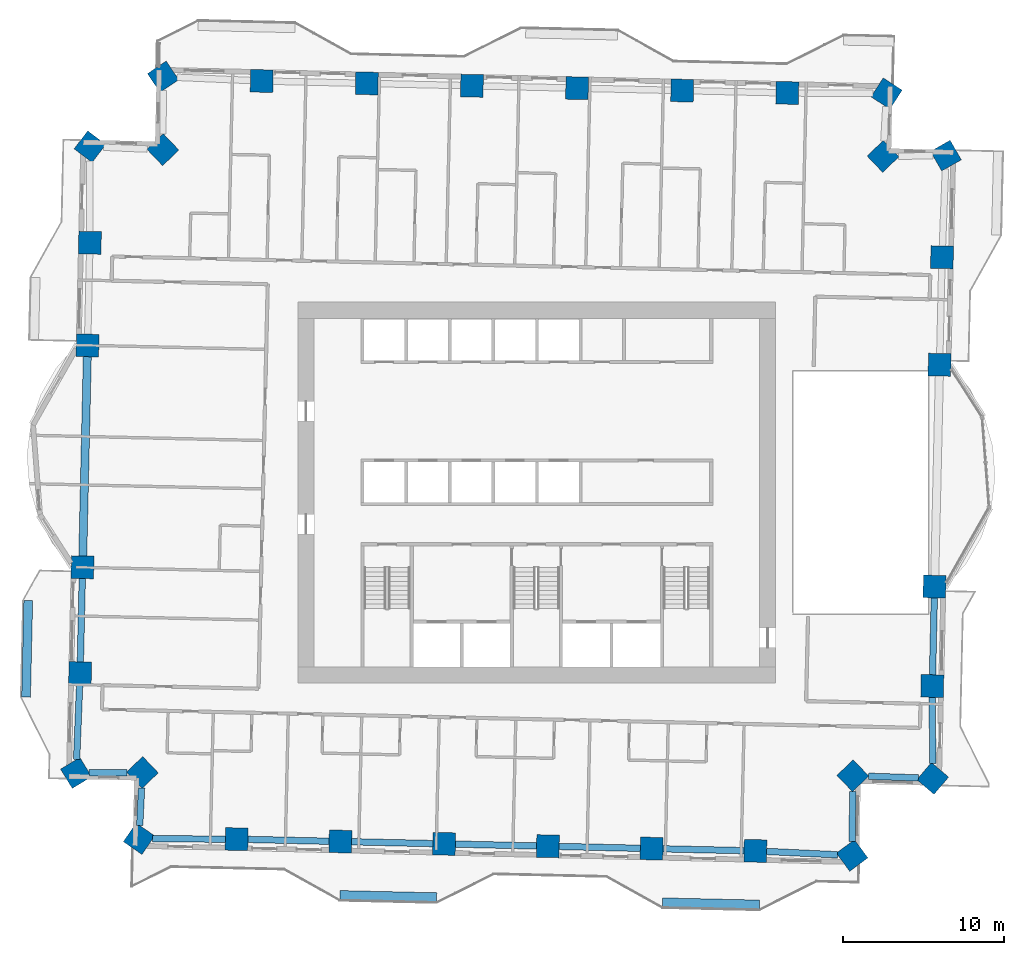
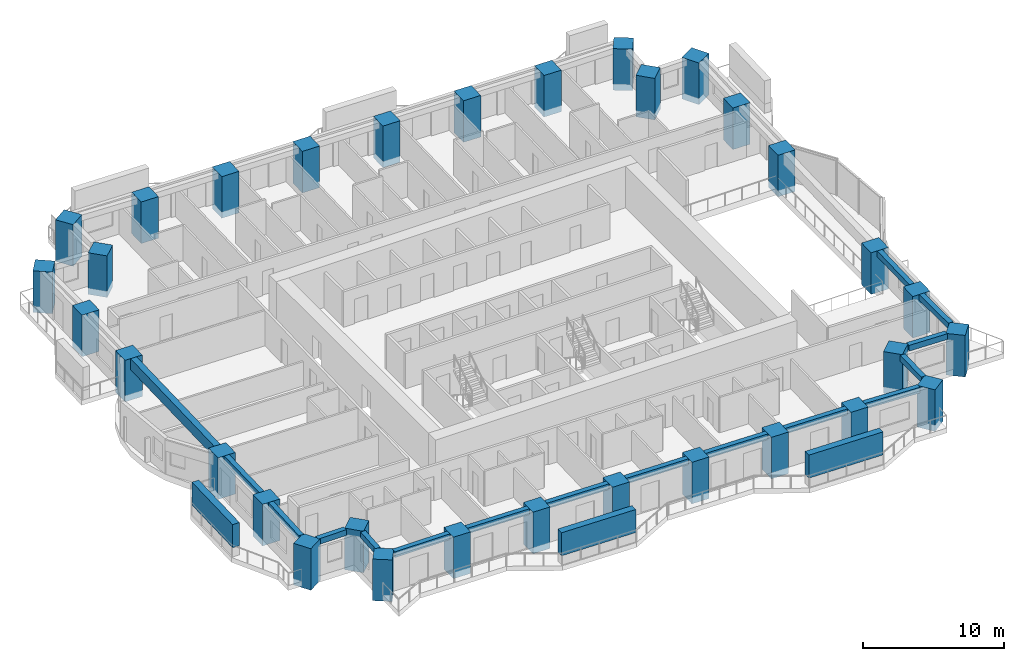
# One storey, part 1 of 16: 32 columns, 16 beams, 3 members.
"""IFC4 building model written with IfcOpenShell, lengths in metres."""

from ifc_helpers import new_model, si_unit, direction, frame, origin, origin_2d, place, context, subcontext, project, spatial, rectangle, extrude, material, material_profile, profile_set, type_object, element, save


model = new_model("IFC4")

# Units and contexts
model_context = context("Model", 3, precision=1e-05, world=origin(), true_north=direction((0.0, 1.0)))
body_context = subcontext(model_context, "Body", "Model", "MODEL_VIEW")
ifc_project = project(units=[si_unit("LENGTHUNIT", "METRE"), si_unit("AREAUNIT", "SQUARE_METRE"), si_unit("VOLUMEUNIT", "CUBIC_METRE"), si_unit("PLANEANGLEUNIT", "RADIAN"), si_unit("MASSUNIT", "GRAM", prefix="KILO")], contexts=[model_context])

# Site, building, storey
site_placement = place(None, origin())
site = spatial("IfcSite", under=ifc_project, at=site_placement, CompositionType="ELEMENT")
building_placement = place(site_placement, origin())
building = spatial("IfcBuilding", under=site, at=building_placement, Name="Mangrove Gate Tower", CompositionType="ELEMENT")
storey_placement = place(building_placement, frame((0.0, 0.0, 101.89990234375)))
storey = spatial("IfcBuildingStorey", under=building, at=storey_placement, Name="L25", CompositionType="ELEMENT", Elevation=101.89990234375)

# Columns
ifc_material_1 = material(Name="Concrete C70/85", Category="concrete")
ifc_material_profile_1 = material_profile(ifc_material_1, rectangle(XDim=1.39990234375, YDim=1.39990234375, at=origin_2d()))
ifc_profile_set_1 = profile_set([ifc_material_profile_1], Name="Concrete C70/85")
column_type = type_object("IfcColumnType", Name="Column RC 1400x1400 C70/85", PredefinedType="COLUMN", material=ifc_profile_set_1)
for number, where, z_axis, x_axis, name in (
    (1, (-28.153076171875, -4.625, -0.5498046875), (0.0, 0.0, 1.0), (-0.022695691547, -0.999742419619, 0.0), "Column L25 W05"),
    (2, (-28.30224609375, -11.184814453125, -0.5498046875), (0.0, 0.0, 1.0), (-0.022705829297, -0.999742189425, 0.0), "Column L25 W06"),
    (3, (-28.552978515625, -17.3662109375, -0.5498046875), (0.0, 0.0, 1.0), (0.51980850099, -0.85428281166, 0.0), "Column L25 W07"),
    (4, (-24.446044921875, -17.34130859375, -0.5498046875), (0.0, 0.0, 1.0), (0.69093208713, -0.722919671176, 0.0), "Column L25 W08"),
    (5, (-24.65087890625, -21.44677734375, -0.5498046875), (0.0, 0.0, 1.0), (0.824584810142, -0.565738359034, 0.0), "Column L25 S01"),
    (6, (-18.60302734375, -21.47021484375, -0.5498046875), (0.0, 0.0, 1.0), (0.999742156532, -0.022707277547, 0.0), "Column L25 S02"),
    (7, (-12.175048828125, -21.6162109375, -0.5498046875), (0.0, 0.0, 1.0), (0.999742156532, -0.022707277547, 0.0), "Column L25 S03"),
    (8, (-5.7470703125, -21.76220703125, -0.5498046875), (0.0, 0.0, 1.0), (0.999742156532, -0.022707277547, 0.0), "Column L25 S04"),
    (9, (0.680908203125, -21.908203125, -0.5498046875), (0.0, 0.0, 1.0), (0.999742156532, -0.022707277547, 0.0), "Column L25 S05"),
    (10, (7.10888671875, -22.05419921875, -0.5498046875), (0.0, 0.0, 1.0), (0.999743919101, -0.022629543109, 0.0), "Column L25 S06"),
    (11, (13.536865234375, -22.19921875, -0.5498046875), (0.0, 0.0, 1.0), (0.999743919101, -0.022629543109, 0.0), "Column L25 S07"),
    (12, (19.531982421875, -22.482666015625, -0.5498046875), (0.0, 0.0, 1.0), (0.803200357552, 0.595708977294, 0.0), "Column L25 S08"),
    (13, (19.579345703125, -17.541015625, -0.5498046875), (0.0, 0.0, 1.0), (0.722976563275, 0.690872556232, 0.0), "Column L25 E01"),
    (14, (24.527587890625, -17.706787109375, -0.5498046875), (0.0, 0.0, 1.0), (0.64744355459, 0.76211340601, 0.0), "Column L25 E02"),
    (15, (24.501220703125, -11.983154296875, -0.5498046875), (0.0, 0.0, 1.0), (0.022717711923, 0.99974191948, 0.0), "Column L25 E03"),
    (16, (24.64111328125, -5.822021484375, -0.5498046875), (0.0, 0.0, 1.0), (0.022698588047, 0.99974235386, 0.0), "Column L25 E04"),
    (17, (24.953125, 7.9248046875, -0.5498046875), (0.0, 0.0, 1.0), (0.022682447908, 0.999742720182, 0.0), "Column L25 E05"),
    (18, (25.104248046875, 14.5849609375, -0.5498046875), (0.0, 0.0, 1.0), (0.022665138693, 0.999743112748, 0.0), "Column L25 E06"),
    (19, (25.346923828125, 20.88330078125, -0.5498046875), (0.0, 0.0, 1.0), (-0.495140886792, 0.868812696861, 0.0), "Column L25 E07"),
    (20, (21.449951171875, 20.83740234375, -0.5498046875), (0.0, 0.0, 1.0), (-0.690837236726, 0.723010312757, 0.0), "Column L25 E08"),
    (21, (21.66748046875, 24.73193359375, -0.5498046875), (0.0, 0.0, 1.0), (-0.840169758103, 0.542323499001, 0.0), "Column L25 N01"),
    (22, (15.51708984375, 24.76708984375, -0.5498046875), (0.0, 0.0, 1.0), (-0.999743694319, 0.022639471488, 0.0), "Column L25 N02"),
    (23, (9.004150390625, 24.915283203125, -0.5498046875), (0.0, 0.0, 1.0), (-0.99974195437, 0.02271617643, 0.0), "Column L25 N03"),
    (24, (2.489990234375, 25.063232421875, -0.5498046875), (0.0, 0.0, 1.0), (-0.999741994016, 0.022714431551, 0.0), "Column L25 N04"),
    (25, (-4.02392578125, 25.211181640625, -0.5498046875), (0.0, 0.0, 1.0), (-0.999741994016, 0.022714431551, 0.0), "Column L25 N05"),
    (26, (-10.537841796875, 25.359130859375, -0.5498046875), (0.0, 0.0, 1.0), (-0.99974195437, 0.02271617643, 0.0), "Column L25 N06"),
    (27, (-17.05078125, 25.507080078125, -0.5498046875), (0.0, 0.0, 1.0), (-0.999743694319, 0.022639471488, 0.0), "Column L25 N07"),
    (28, (-23.158447265625, 25.773193359375, -0.5498046875), (0.0, 0.0, 1.0), (-0.829825550582, -0.558022898815, 0.0), "Column L25 N08"),
    (29, (-23.17041015625, 21.25, -0.5498046875), (0.0, 0.0, 1.0), (-0.722988982899, -0.690859559249, 0.0), "Column L25 W01"),
    (30, (-27.694091796875, 21.437255859375, -0.5498046875), (0.0, 0.0, 1.0), (-0.604088172923, -0.796917485901, 0.0), "Column L25 W02"),
    (31, (-27.697265625, 15.483154296875, -0.5498046875), (0.0, 0.0, 1.0), (-0.02271069751, -0.999742078848, 0.0), "Column L25 W03"),
    (32, (-27.841064453125, 9.1220703125, -0.5498046875), (0.0, 0.0, 1.0), (-0.022671716894, -0.999742963593, 0.0), "Column L25 W04"),
):
    element("IfcColumn", number, at=place(storey_placement, frame(where, z_axis=z_axis, x_axis=x_axis)), inside=storey, type_object=column_type, Name=name, PredefinedType="COLUMN", context=body_context, shape_type="SweptSolid", body=[
        extrude(rectangle(XDim=1.39990234375, YDim=1.39990234375, at=origin_2d()), origin(), (0.0, 0.0, 1.0), 3.599853515625),
    ])

# Members
ifc_material_2 = material(Name="Planting on aluminium trellis", Category="aluminium")
ifc_material_profile_2 = material_profile(ifc_material_2, rectangle(XDim=0.550048828125, YDim=2.0, at=origin_2d()))
ifc_profile_set_2 = profile_set([ifc_material_profile_2], Name="Planting on aluminium trellis")
member_type = type_object("IfcMemberType", Name="Balcony greenery screen 550x2000", PredefinedType="USERDEFINED", material=ifc_profile_set_2)
member_placement = place(storey_placement, frame((-31.652099609375, -12.672119140625, 1.800048828125), z_axis=(0.022662255828, 0.999743178102, 0.0), x_axis=(-0.999743178102, 0.022662255828, 0.0)))
element("IfcMember", 33, at=member_placement, inside=storey, type_object=member_type, Name="GREEN SCREEN L25 W1.1", ObjectType="PLANTING", PredefinedType="USERDEFINED", context=body_context, shape_type="SweptSolid", body=[
    extrude(rectangle(XDim=0.550048828125, YDim=2.0, at=origin_2d()), origin(), (0.0, 0.0, 1.0), 6.00048828125),
])
for number, where, z_axis, x_axis, name in (
    (34, (-12.2060546875, -24.930908203125, 1.800048828125), (0.999743094499, -0.022665943652, 0.0), (0.022665943652, 0.999743094499, 0.0), "GREEN SCREEN L25 S0.1"),
    (35, (7.7890625, -25.385009765625, 1.800048828125), (0.999743094499, -0.022665943652, 0.0), (0.022665943652, 0.999743094499, 0.0), "GREEN SCREEN L25 S1.1"),
):
    element("IfcMember", number, at=place(storey_placement, frame(where, z_axis=z_axis, x_axis=x_axis)), inside=storey, type_object=member_type, Name=name, ObjectType="PLANTING", PredefinedType="USERDEFINED", context=body_context, shape_type="SweptSolid", body=[
        extrude(rectangle(XDim=0.550048828125, YDim=2.0, at=origin_2d()), origin(), (0.0, 0.0, 1.0), 5.99951171875),
    ])

# Beams
ifc_material_3 = material(Name="Concrete C50/60", Category="concrete")
ifc_material_profile_3 = material_profile(ifc_material_3, rectangle(XDim=0.39990234375, YDim=0.5, at=origin_2d()))
ifc_profile_set_3 = profile_set([ifc_material_profile_3], Name="Concrete C50/60")
beam_type_1 = type_object("IfcBeamType", Name="Edge beam RC 400x500 C50/60", PredefinedType="BEAM", material=ifc_profile_set_3)
beam_1_placement = place(storey_placement, frame((-28.169189453125, -5.32470703125, 2.800048828125), z_axis=(-0.022703140476, -0.999742250489, 0.0), x_axis=(0.999742250489, -0.022703140476, 0.0)))
element("IfcBeam", 36, at=beam_1_placement, inside=storey, type_object=beam_type_1, Name="Edge beam L25 00", PredefinedType="BEAM", context=body_context, shape_type="SweptSolid", body=[
    extrude(rectangle(XDim=0.39990234375, YDim=0.5, at=origin_2d()), origin(), (0.0, 0.0, 1.0), 5.16162109375),
])
beam_2_placement = place(storey_placement, frame((-28.33056640625, -11.884521484375, 2.800048828125), z_axis=(-0.040522157251, -0.99917864007, 0.0), x_axis=(0.99917864007, -0.040522157251, 0.0)))
element("IfcBeam", 37, at=beam_2_placement, inside=storey, type_object=beam_type_1, Name="Edge beam L25 01", PredefinedType="BEAM", context=body_context, shape_type="SweptSolid", body=[
    extrude(rectangle(XDim=0.39990234375, YDim=0.5, at=origin_2d()), origin(), (0.0, 0.0, 1.0), 4.645263671875),
])
beam_3_placement = place(storey_placement, frame((-27.736572265625, -17.361328125, 2.800048828125), z_axis=(0.999981499965, 0.006082740115, 0.0), x_axis=(-0.006082740115, 0.999981499965, 0.0)))
element("IfcBeam", 38, at=beam_3_placement, inside=storey, type_object=beam_type_1, Name="Edge beam L25 02", PredefinedType="BEAM", context=body_context, shape_type="SweptSolid", body=[
    extrude(rectangle(XDim=0.39990234375, YDim=0.5, at=origin_2d()), origin(), (0.0, 0.0, 1.0), 2.327880859375),
])
beam_4_placement = place(storey_placement, frame((-24.494140625, -18.30419921875, 2.800048828125), z_axis=(-0.049885237049, -0.998754956496, 0.0), x_axis=(0.998754956496, -0.049885237049, 0.0)))
element("IfcBeam", 39, at=beam_4_placement, inside=storey, type_object=beam_type_1, Name="Edge beam L25 03", PredefinedType="BEAM", context=body_context, shape_type="SweptSolid", body=[
    extrude(rectangle(XDim=0.39990234375, YDim=0.5, at=origin_2d()), origin(), (0.0, 0.0, 1.0), 2.32470703125),
])
beam_5_placement = place(storey_placement, frame((-23.80419921875, -21.449951171875, 2.800048828125), z_axis=(0.999992374003, -0.003905372691, 0.0), x_axis=(0.003905372691, 0.999992374003, 0.0)))
element("IfcBeam", 40, at=beam_5_placement, inside=storey, type_object=beam_type_1, Name="Edge beam L25 04", PredefinedType="BEAM", context=body_context, shape_type="SweptSolid", body=[
    extrude(rectangle(XDim=0.39990234375, YDim=0.5, at=origin_2d()), origin(), (0.0, 0.0, 1.0), 4.5009765625),
])
for number, where, z_axis, x_axis, name in (
    (41, (-17.9033203125, -21.486083984375, 2.800048828125), (0.999741935774, -0.022716994851, 0.0), (0.022716994851, 0.999741935774, 0.0), "Edge beam L25 05"),
    (42, (-11.475341796875, -21.632080078125, 2.800048828125), (0.999741935774, -0.022716994851, 0.0), (0.022716994851, 0.999741935774, 0.0), "Edge beam L25 06"),
    (43, (-5.04736328125, -21.778076171875, 2.800048828125), (0.999741935774, -0.022716994851, 0.0), (0.022716994851, 0.999741935774, 0.0), "Edge beam L25 07"),
    (44, (1.380615234375, -21.924072265625, 2.800048828125), (0.999741935774, -0.022716994851, 0.0), (0.022716994851, 0.999741935774, 0.0), "Edge beam L25 08"),
    (45, (7.80859375, -22.070068359375, 2.800048828125), (0.999746326605, -0.022522931421, 0.0), (0.022522931421, 0.999746326605, 0.0), "Edge beam L25 09"),
):
    element("IfcBeam", number, at=place(storey_placement, frame(where, z_axis=z_axis, x_axis=x_axis)), inside=storey, type_object=beam_type_1, Name=name, PredefinedType="BEAM", context=body_context, shape_type="SweptSolid", body=[
        extrude(rectangle(XDim=0.39990234375, YDim=0.5, at=origin_2d()), origin(), (0.0, 0.0, 1.0), 5.029541015625),
    ])
beam_6_placement = place(storey_placement, frame((14.236328125, -22.232177734375, 2.800048828125), z_axis=(0.998883285152, -0.047245980195, 0.0), x_axis=(0.047245980195, 0.998883285152, 0.0)))
element("IfcBeam", 46, at=beam_6_placement, inside=storey, type_object=beam_type_1, Name="Edge beam L25 10", PredefinedType="BEAM", context=body_context, shape_type="SweptSolid", body=[
    extrude(rectangle(XDim=0.39990234375, YDim=0.5, at=origin_2d()), origin(), (0.0, 0.0, 1.0), 4.3974609375),
])
beam_7_placement = place(storey_placement, frame((19.54052734375, -21.60498046875, 2.800048828125), z_axis=(0.009569318236, 0.999954213026, 0.0), x_axis=(-0.999954213026, 0.009569318236, 0.0)))
element("IfcBeam", 47, at=beam_7_placement, inside=storey, type_object=beam_type_1, Name="Edge beam L25 11", PredefinedType="BEAM", context=body_context, shape_type="SweptSolid", body=[
    extrude(rectangle(XDim=0.39990234375, YDim=0.5, at=origin_2d()), origin(), (0.0, 0.0, 1.0), 3.087158203125),
])
beam_8_placement = place(storey_placement, frame((20.558349609375, -17.57373046875, 2.800048828125), z_axis=(0.999439612245, -0.03347329495, 0.0), x_axis=(0.03347329495, 0.999439612245, 0.0)))
element("IfcBeam", 48, at=beam_8_placement, inside=storey, type_object=beam_type_1, Name="Edge beam L25 12", PredefinedType="BEAM", context=body_context, shape_type="SweptSolid", body=[
    extrude(rectangle(XDim=0.39990234375, YDim=0.5, at=origin_2d()), origin(), (0.0, 0.0, 1.0), 3.077880859375),
])
beam_9_placement = place(storey_placement, frame((24.523193359375, -16.78466796875, 2.800048828125), z_axis=(-0.004583558018, 0.999989495443, 0.0), x_axis=(-0.999989495443, -0.004583558018, 0.0)))
element("IfcBeam", 49, at=beam_9_placement, inside=storey, type_object=beam_type_1, Name="Edge beam L25 13", PredefinedType="BEAM", context=body_context, shape_type="SweptSolid", body=[
    extrude(rectangle(XDim=0.39990234375, YDim=0.5, at=origin_2d()), origin(), (0.0, 0.0, 1.0), 4.101318359375),
])
beam_10_placement = place(storey_placement, frame((24.51708984375, -11.283203125, 2.800048828125), z_axis=(0.022709760556, 0.999742100132, 0.0), x_axis=(-0.999742100132, 0.022709760556, 0.0)))
element("IfcBeam", 50, at=beam_10_placement, inside=storey, type_object=beam_type_1, Name="Edge beam L25 14", PredefinedType="BEAM", context=body_context, shape_type="SweptSolid", body=[
    extrude(rectangle(XDim=0.39990234375, YDim=0.5, at=origin_2d()), origin(), (0.0, 0.0, 1.0), 4.762451171875),
])
ifc_material_4 = material(Name="Concrete C50/60", Category="concrete")
ifc_material_profile_4 = material_profile(ifc_material_4, rectangle(XDim=0.5, YDim=0.949951171875, at=origin_2d()))
ifc_profile_set_4 = profile_set([ifc_material_profile_4], Name="Concrete C50/60")
beam_type_2 = type_object("IfcBeamType", Name="Edge beam RC 500x950 C50/60", PredefinedType="BEAM", material=ifc_profile_set_4)
beam_11_placement = place(storey_placement, frame((-27.857177734375, 8.42236328125, 2.5751953125), z_axis=(-0.022673359101, -0.99974292635, 0.0), x_axis=(0.99974292635, -0.022673359101, 0.0)))
element("IfcBeam", 51, at=beam_11_placement, inside=storey, type_object=beam_type_2, Name="Edge beam L25 31", PredefinedType="BEAM", context=body_context, shape_type="SweptSolid", body=[
    extrude(rectangle(XDim=0.5, YDim=0.949951171875, at=origin_2d()), origin(), (0.0, 0.0, 1.0), 12.3505859375),
])

save(model, "model.ifc")
